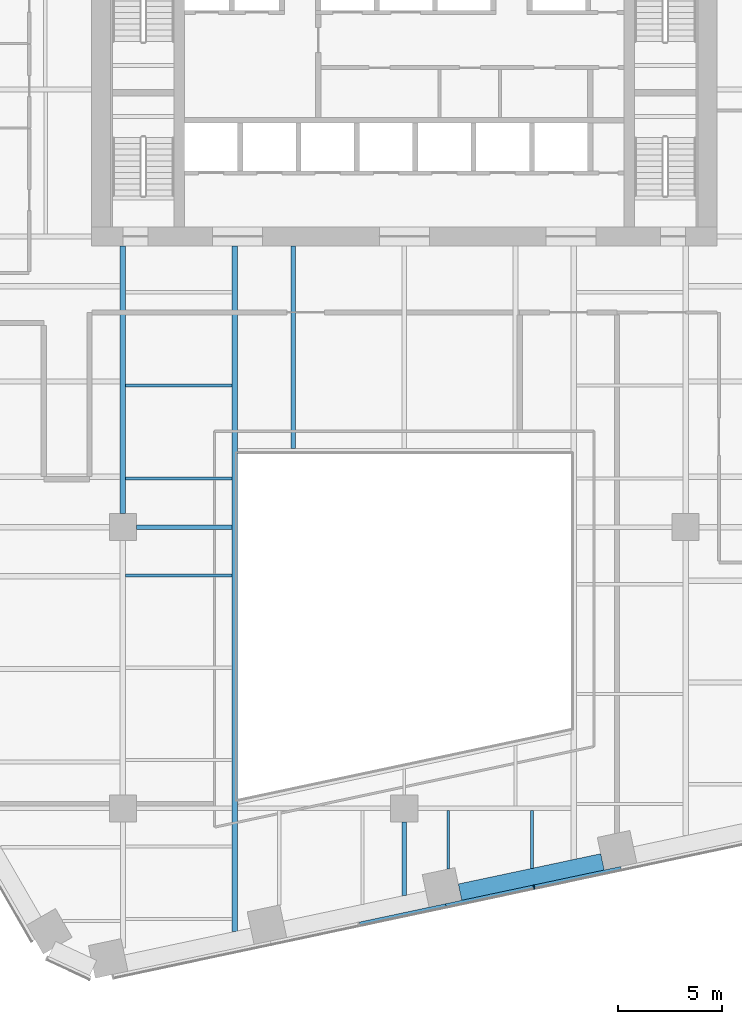
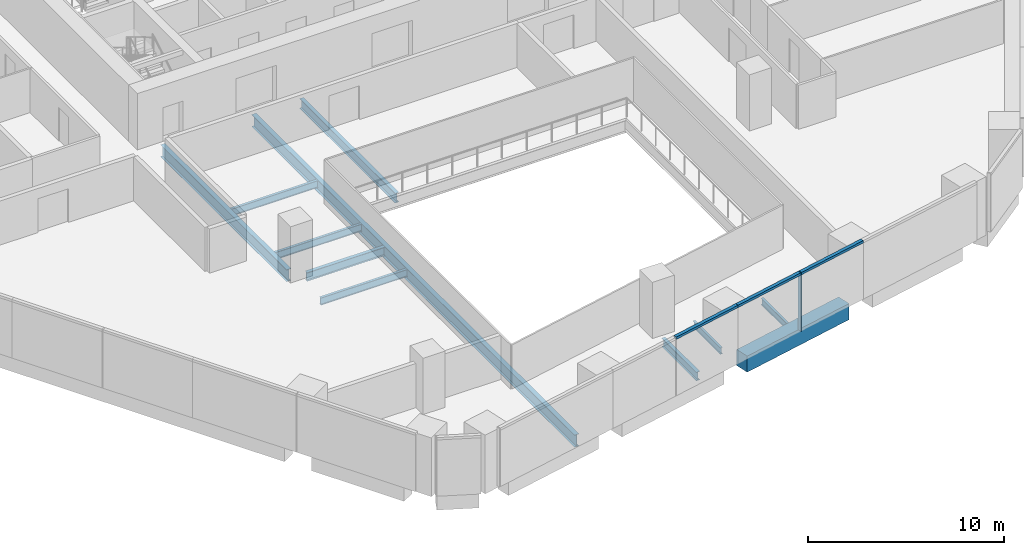
# One storey, part 4 of 21: 11 beams, 4 members, 1 element without a shape of its own.
"""IFC4 building model written with IfcOpenShell, lengths in metres."""

from ifc_helpers import new_model, si_unit, direction, frame, origin, origin_2d, place, context, subcontext, project, spatial, rectangle, i_section, extrude, material, layer, layer_set, material_profile, profile_set, type_object, element, aggregate, save


model = new_model("IFC4")

# Units and contexts
model_context = context("Model", 3, precision=1e-05, world=origin(), true_north=direction((0.0, 1.0)))
body_context = subcontext(model_context, "Body", "Model", "MODEL_VIEW")
ifc_project = project(units=[si_unit("LENGTHUNIT", "METRE"), si_unit("AREAUNIT", "SQUARE_METRE"), si_unit("VOLUMEUNIT", "CUBIC_METRE"), si_unit("PLANEANGLEUNIT", "RADIAN"), si_unit("MASSUNIT", "GRAM", prefix="KILO")], contexts=[model_context])

# Site, building, storey
site_placement = place(None, origin())
site = spatial("IfcSite", under=ifc_project, at=site_placement, CompositionType="ELEMENT")
building_placement = place(site_placement, origin())
building = spatial("IfcBuilding", under=site, at=building_placement, Name="Isthmus Gate Tower", CompositionType="ELEMENT")
storey_placement = place(building_placement, frame((0.0, 0.0, 106.199951171875)))
storey = spatial("IfcBuildingStorey", under=building, at=storey_placement, Name="L25", CompositionType="ELEMENT", Elevation=106.199951171875)

# Curtain wall, members
ifc_material_1 = material(Name="Aluminium, pale champagne anodised", Category="aluminium")
ifc_layer = layer(ifc_material_1, 0.199951171875)
ifc_layer_set = layer_set([ifc_layer], Name="CW-1 UNITISED CURTAIN WALL 200 DEEP")
curtain_wall_type = type_object("IfcCurtainWallType", Name="CW-1 UNITISED CURTAIN WALL 200 DEEP", PredefinedType="NOTDEFINED", material=ifc_layer_set)
curtain_wall_placement = place(storey_placement, origin())
curtain_wall = element("IfcCurtainWall", 1, at=curtain_wall_placement, inside=storey, type_object=curtain_wall_type, Name="CW-1 S L25", PredefinedType="NOTDEFINED")
ifc_material_2 = material(Name="Aluminium, pale champagne anodised", Category="aluminium")
ifc_material_profile_1 = material_profile(ifc_material_2, rectangle(XDim=0.06005859375, YDim=0.199951171875, at=origin_2d()), Name="60x200")
ifc_profile_set_1 = profile_set([ifc_material_profile_1], Name="Aluminium, pale champagne anodised")
member_type_1 = type_object("IfcMemberType", Name="CW-1 MULLION 60 X 200", PredefinedType="MULLION", material=ifc_profile_set_1)
member_1_placement = place(storey_placement, frame((6.228759765625, -30.7783203125, 0.0), z_axis=(0.0, 0.0, 1.0), x_axis=(0.978147600734, 0.207911690818, 0.0)))
member_1 = element("IfcMember", 2, at=member_1_placement, type_object=member_type_1, Name="CW-1 mullion", PredefinedType="MULLION", context=body_context, shape_type="SweptSolid", body=[
    extrude(rectangle(XDim=0.06005859375, YDim=0.199951171875, at=origin_2d()), origin(), (0.0, 0.0, 1.0), 3.650146484375),
])
ifc_material_3 = material(Name="Aluminium, pale champagne anodised", Category="aluminium")
ifc_material_profile_2 = material_profile(ifc_material_3, rectangle(XDim=0.199951171875, YDim=0.14990234375, at=origin_2d()), Name="200x150")
ifc_profile_set_2 = profile_set([ifc_material_profile_2], Name="Aluminium, pale champagne anodised")
member_type_2 = type_object("IfcMemberType", Name="CW-1 TRANSOM 200 X 150", PredefinedType="USERDEFINED", material=ifc_profile_set_2)
member_2_placement = place(storey_placement, frame((-2.1435546875, -32.557861328125, 3.574951171875), z_axis=(0.978150351608, 0.20789874855, 0.0), x_axis=(-0.20789874855, 0.978150351608, 0.0)))
member_2 = element("IfcMember", 3, at=member_2_placement, type_object=member_type_2, Name="CW-1 transom", ObjectType="TRANSOM", PredefinedType="USERDEFINED", context=body_context, shape_type="SweptSolid", body=[
    extrude(rectangle(XDim=0.199951171875, YDim=0.14990234375, at=origin_2d()), origin(), (0.0, 0.0, 1.0), 4.234619140625),
])
member_3_placement = place(storey_placement, frame((1.99853515625, -31.677490234375, 3.574951171875), z_axis=(0.97813890815, 0.207952582007, 0.0), x_axis=(-0.207952582007, 0.97813890815, 0.0)))
member_3 = element("IfcMember", 4, at=member_3_placement, type_object=member_type_2, Name="CW-1 transom", ObjectType="TRANSOM", PredefinedType="USERDEFINED", context=body_context, shape_type="SweptSolid", body=[
    extrude(rectangle(XDim=0.199951171875, YDim=0.14990234375, at=origin_2d()), origin(), (0.0, 0.0, 1.0), 4.294677734375),
])
member_4_placement = place(storey_placement, frame((6.258056640625, -30.77197265625, 3.574951171875), z_axis=(0.978150351608, 0.20789874855, 0.0), x_axis=(-0.20789874855, 0.978150351608, 0.0)))
member_4 = element("IfcMember", 5, at=member_4_placement, type_object=member_type_2, Name="CW-1 transom", ObjectType="TRANSOM", PredefinedType="USERDEFINED", context=body_context, shape_type="SweptSolid", body=[
    extrude(rectangle(XDim=0.199951171875, YDim=0.14990234375, at=origin_2d()), origin(), (0.0, 0.0, 1.0), 4.234619140625),
])
aggregate(curtain_wall, [member_2, member_3, member_1, member_4])

# Beams
ifc_material_4 = material(Name="Concrete f'c 70 MPa", Category="concrete")
ifc_material_profile_3 = material_profile(ifc_material_4, rectangle(XDim=0.800048828125, YDim=1.0, at=origin_2d()), Name="RC 800X1000")
ifc_profile_set_3 = profile_set([ifc_material_profile_3], Name="Concrete f'c 70 MPa")
beam_type_1 = type_object("IfcBeamType", Name="RC SPANDREL 800 X 1000", PredefinedType="SPANDREL", material=ifc_profile_set_3)
beam_1_placement = place(storey_placement, frame((9.513671875, -29.56884765625, -0.5), z_axis=(-0.978149173437, -0.207904291694, 0.0), x_axis=(0.207904291694, -0.978149173437, 0.0)))
element("IfcBeam", 6, at=beam_1_placement, inside=storey, type_object=beam_type_1, Name="str-spandrel-L25-11", PredefinedType="SPANDREL", context=body_context, shape_type="SweptSolid", body=[
    extrude(rectangle(XDim=0.800048828125, YDim=1.0, at=origin_2d()), origin(), (0.0, 0.0, 1.0), 6.989501953125),
])
ifc_material_5 = material(Name="Structural steel ASTM A992 Gr 50", Category="steel")
ifc_material_profile_4 = material_profile(ifc_material_5, i_section(OverallWidth=0.1396484375, OverallDepth=0.4033203125, WebThickness=0.00634765625, FlangeThickness=0.010986328125, at=origin_2d()), Name="W16X31")
ifc_profile_set_4 = profile_set([ifc_material_profile_4], Name="Structural steel ASTM A992 Gr 50")
beam_type_2 = type_object("IfcBeamType", Name="STEEL FLOOR BEAM W16X31", PredefinedType="JOIST", material=ifc_profile_set_4)
beam_2_placement = place(storey_placement, frame((2.111572265625, -29.91552734375, -0.3515625), z_axis=(0.0, 1.0, 0.0), x_axis=(-1.0, 0.0, 0.0)))
element("IfcBeam", 7, at=beam_2_placement, inside=storey, type_object=beam_type_2, Name="str-beam-L25-19-00", PredefinedType="JOIST", context=body_context, shape_type="SweptSolid", body=[
    extrude(i_section(OverallWidth=0.1396484375, OverallDepth=0.4033203125, WebThickness=0.00634765625, FlangeThickness=0.010986328125, at=origin_2d()), origin(), (0.0, 0.0, 1.0), 2.80126953125),
])
beam_3_placement = place(storey_placement, frame((6.125, -29.880126953125, -0.3515625), z_axis=(0.0, 1.0, 0.0), x_axis=(-1.0, 0.0, 0.0)))
element("IfcBeam", 8, at=beam_3_placement, inside=storey, type_object=beam_type_2, Name="str-beam-L25-19-01", PredefinedType="JOIST", context=body_context, shape_type="SweptSolid", body=[
    extrude(i_section(OverallWidth=0.1396484375, OverallDepth=0.4033203125, WebThickness=0.00634765625, FlangeThickness=0.010986328125, at=origin_2d()), origin(), (0.0, 0.0, 1.0), 2.765869140625),
])
ifc_material_6 = material(Name="Structural steel ASTM A992 Gr 50", Category="steel")
ifc_material_profile_5 = material_profile(ifc_material_6, i_section(OverallWidth=0.15234375, OverallDepth=0.45068359375, WebThickness=0.0078125, FlangeThickness=0.010986328125, at=origin_2d()), Name="W18X35")
ifc_profile_set_5 = profile_set([ifc_material_profile_5], Name="Structural steel ASTM A992 Gr 50")
beam_type_3 = type_object("IfcBeamType", Name="STEEL FLOOR BEAM W18X35", PredefinedType="JOIST", material=ifc_profile_set_5)
for number, where, z_axis, x_axis, name in (
    (9, (-13.3681640625, -11.16259765625, -0.375244140625), (1.0, 0.0, 0.0), (0.0, 1.0, 0.0), "str-beam-L25-12-00"),
    (10, (-13.3681640625, -6.697509765625, -0.375244140625), (1.0, 0.0, 0.0), (0.0, 1.0, 0.0), "str-beam-L25-12-01"),
    (11, (-13.3681640625, -15.81982421875, -0.375244140625), (1.0, 0.0, 0.0), (0.0, 1.0, 0.0), "str-beam-L25-13-02"),
):
    element("IfcBeam", number, at=place(storey_placement, frame(where, z_axis=z_axis, x_axis=x_axis)), inside=storey, type_object=beam_type_3, Name=name, PredefinedType="JOIST", context=body_context, shape_type="SweptSolid", body=[
        extrude(i_section(OverallWidth=0.15234375, OverallDepth=0.45068359375, WebThickness=0.0078125, FlangeThickness=0.010986328125, at=origin_2d()), origin(), (0.0, 0.0, 1.0), 5.1015625),
    ])
ifc_material_7 = material(Name="Structural steel ASTM A992 Gr 50", Category="steel")
ifc_material_profile_6 = material_profile(ifc_material_7, i_section(OverallWidth=0.228515625, OverallDepth=0.603271484375, WebThickness=0.010986328125, FlangeThickness=0.014404296875, at=origin_2d()), Name="W24X68")
ifc_profile_set_6 = profile_set([ifc_material_profile_6], Name="Structural steel ASTM A992 Gr 50")
beam_type_4 = type_object("IfcBeamType", Name="STEEL FLOOR BEAM W24X68", PredefinedType="JOIST", material=ifc_profile_set_6)
beam_4_placement = place(storey_placement, frame((-5.333251953125, -9.7333984375, -0.45166015625), z_axis=(0.0, 1.0, 0.0), x_axis=(-1.0, 0.0, 0.0)))
element("IfcBeam", 12, at=beam_4_placement, inside=storey, type_object=beam_type_4, Name="str-beam-L25-17-00", PredefinedType="JOIST", context=body_context, shape_type="SweptSolid", body=[
    extrude(i_section(OverallWidth=0.228515625, OverallDepth=0.603271484375, WebThickness=0.010986328125, FlangeThickness=0.014404296875, at=origin_2d()), origin(), (0.0, 0.0, 1.0), 9.7333984375),
])
ifc_material_8 = material(Name="Structural steel ASTM A992 Gr 50", Category="steel")
ifc_material_profile_7 = material_profile(ifc_material_8, i_section(OverallWidth=0.20947265625, OverallDepth=0.533447265625, WebThickness=0.009521484375, FlangeThickness=0.015869140625, at=origin_2d()), Name="W21X62")
ifc_profile_set_7 = profile_set([ifc_material_profile_7], Name="Structural steel ASTM A992 Gr 50")
beam_type_5 = type_object("IfcBeamType", Name="STEEL GIRDER W21X62", PredefinedType="BEAM", material=ifc_profile_set_7)
beam_5_placement = place(storey_placement, frame((-12.85009765625, -13.5, -0.416748046875), z_axis=(1.0, 0.0, 0.0), x_axis=(0.0, 1.0, 0.0)))
element("IfcBeam", 13, at=beam_5_placement, inside=storey, type_object=beam_type_5, Name="str-girder-L25-06", PredefinedType="BEAM", context=body_context, shape_type="SweptSolid", body=[
    extrude(i_section(OverallWidth=0.20947265625, OverallDepth=0.533447265625, WebThickness=0.009521484375, FlangeThickness=0.015869140625, at=origin_2d()), origin(), (0.0, 0.0, 1.0), 4.58349609375),
])
beam_6_placement = place(storey_placement, frame((0.0, -31.18212890625, -0.416748046875), z_axis=(0.0, 1.0, 0.0), x_axis=(-1.0, 0.0, 0.0)))
element("IfcBeam", 14, at=beam_6_placement, inside=storey, type_object=beam_type_5, Name="str-girder-L25-29", PredefinedType="BEAM", context=body_context, shape_type="SweptSolid", body=[
    extrude(i_section(OverallWidth=0.20947265625, OverallDepth=0.533447265625, WebThickness=0.009521484375, FlangeThickness=0.015869140625, at=origin_2d()), origin(), (0.0, 0.0, 1.0), 3.5322265625),
])
ifc_material_9 = material(Name="Structural steel ASTM A992 Gr 50", Category="steel")
ifc_material_profile_8 = material_profile(ifc_material_9, i_section(OverallWidth=0.263427734375, OverallDepth=0.749267578125, WebThickness=0.0126953125, FlangeThickness=0.015869140625, at=origin_2d()), Name="W30X90")
ifc_profile_set_8 = profile_set([ifc_material_profile_8], Name="Structural steel ASTM A992 Gr 50")
beam_type_6 = type_object("IfcBeamType", Name="STEEL GIRDER W30X90", PredefinedType="BEAM", material=ifc_profile_set_8)
beam_7_placement = place(storey_placement, frame((-13.5, -12.85009765625, -0.524658203125), z_axis=(0.0, 1.0, 0.0), x_axis=(-1.0, 0.0, 0.0)))
element("IfcBeam", 15, at=beam_7_placement, inside=storey, type_object=beam_type_6, Name="str-girder-L25-26", PredefinedType="BEAM", context=body_context, shape_type="SweptSolid", body=[
    extrude(i_section(OverallWidth=0.263427734375, OverallDepth=0.749267578125, WebThickness=0.0126953125, FlangeThickness=0.015869140625, at=origin_2d()), origin(), (0.0, 0.0, 1.0), 12.85009765625),
])
ifc_material_10 = material(Name="Structural steel ASTM A992 Gr 50", Category="steel")
ifc_material_profile_9 = material_profile(ifc_material_10, i_section(OverallWidth=0.2666015625, OverallDepth=0.7587890625, WebThickness=0.014404296875, FlangeThickness=0.01904296875, at=origin_2d()), Name="W30X108")
ifc_profile_set_9 = profile_set([ifc_material_profile_9], Name="Structural steel ASTM A992 Gr 50")
beam_type_7 = type_object("IfcBeamType", Name="STEEL TRIMMER W30X108", PredefinedType="BEAM", material=ifc_profile_set_9)
beam_8_placement = place(storey_placement, frame((-8.13330078125, 0.0, -0.529296875), z_axis=(0.0, -1.0, 0.0), x_axis=(1.0, 0.0, 0.0)))
element("IfcBeam", 16, at=beam_8_placement, inside=storey, type_object=beam_type_7, Name="str-trimmer-L25-02", PredefinedType="BEAM", context=body_context, shape_type="SweptSolid", body=[
    extrude(i_section(OverallWidth=0.2666015625, OverallDepth=0.7587890625, WebThickness=0.014404296875, FlangeThickness=0.01904296875, at=origin_2d()), origin(), (0.0, 0.0, 1.0), 32.910888671875),
])

save(model, "model.ifc")
